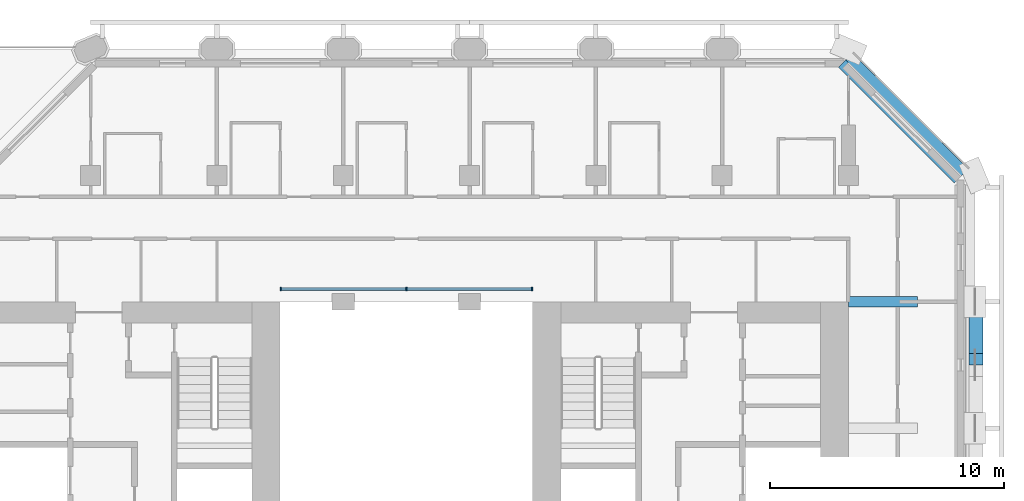
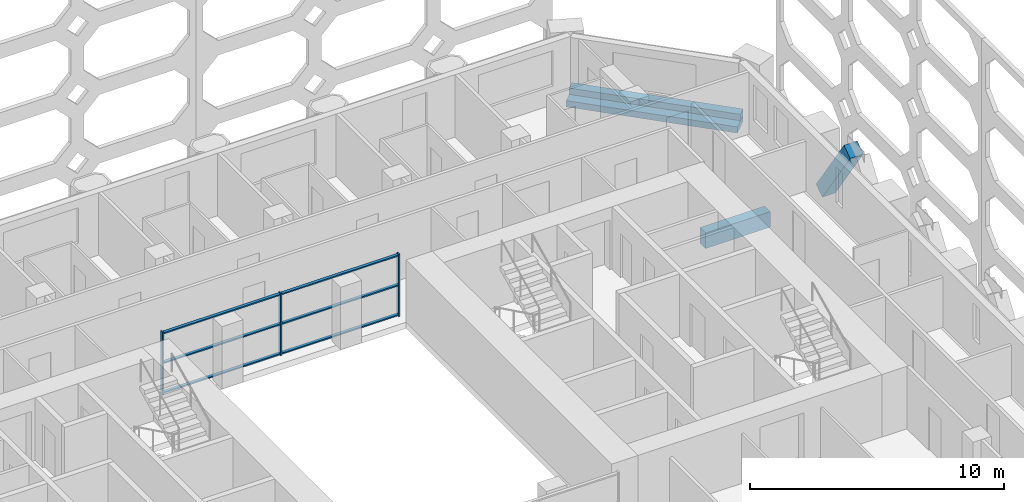
# One storey, part 4 of 16: 10 members, 3 beams, 1 element without a shape of its own.
"""IFC4 building model written with IfcOpenShell, lengths in metres."""

from ifc_helpers import new_model, si_unit, direction, frame, origin, origin_2d, place, context, subcontext, project, spatial, rectangle, extrude, material, material_profile, profile_set, type_object, element, aggregate, save


model = new_model("IFC4")

# Units and contexts
model_context = context("Model", 3, precision=1e-05, world=origin(), true_north=direction((0.0, 1.0)))
body_context = subcontext(model_context, "Body", "Model", "MODEL_VIEW")
ifc_project = project(units=[si_unit("LENGTHUNIT", "METRE"), si_unit("AREAUNIT", "SQUARE_METRE"), si_unit("VOLUMEUNIT", "CUBIC_METRE"), si_unit("PLANEANGLEUNIT", "RADIAN"), si_unit("MASSUNIT", "GRAM", prefix="KILO")], contexts=[model_context])

# Site, building, storey
site_placement = place(None, origin())
site = spatial("IfcSite", under=ifc_project, at=site_placement, CompositionType="ELEMENT")
building_placement = place(site_placement, origin())
building = spatial("IfcBuilding", under=site, at=building_placement, Name="Tabaq Tower and Sports Hall", CompositionType="ELEMENT")
storey_placement = place(building_placement, frame((0.0, 0.0, 152.800048828125)))
storey = spatial("IfcBuildingStorey", under=building, at=storey_placement, Name="L35", CompositionType="ELEMENT", Elevation=152.800048828125)

# Curtain wall, members
ifc_material_1 = material(Name="Aluminium alloy 6063-T6 framed glazing", Category="aluminium")
curtain_wall_type = type_object("IfcCurtainWallType", Name="CW1 curtain wall", PredefinedType="USERDEFINED", material=ifc_material_1)
curtain_wall_placement = place(storey_placement, origin())
curtain_wall = element("IfcCurtainWall", 1, at=curtain_wall_placement, inside=storey, type_object=curtain_wall_type, Name="Atrium glazing L35 N", ObjectType="ATRIUM ENCLOSURE", PredefinedType="USERDEFINED")
ifc_material_2 = material(Name="Aluminium alloy 6063-T6", Category="aluminium")
ifc_material_profile_1 = material_profile(ifc_material_2, rectangle(XDim=0.159912109375, YDim=0.06005859375, at=origin_2d()), Name="MULLION 160x60")
ifc_profile_set_1 = profile_set([ifc_material_profile_1], Name="Aluminium alloy 6063-T6")
member_type_1 = type_object("IfcMemberType", Name="CW1 mullion 160x60", PredefinedType="MULLION", material=ifc_profile_set_1)
member_1_placement = place(storey_placement, frame((18.929931640625, 32.949951171875, 0.0), z_axis=(0.0, 0.0, 1.0), x_axis=(0.0, 1.0, 0.0)))
member_1 = element("IfcMember", 2, at=member_1_placement, type_object=member_type_1, Name="CW1 mullion 1", PredefinedType="MULLION", context=body_context, shape_type="SweptSolid", body=[
    extrude(rectangle(XDim=0.159912109375, YDim=0.06005859375, at=origin_2d()), origin(), (0.0, 0.0, 1.0), 3.0),
])
member_2_placement = place(storey_placement, frame((24.300048828125, 32.949951171875, 0.0), z_axis=(0.0, 0.0, 1.0), x_axis=(0.0, 1.0, 0.0)))
member_2 = element("IfcMember", 3, at=member_2_placement, type_object=member_type_1, Name="CW1 mullion 2", PredefinedType="MULLION", context=body_context, shape_type="SweptSolid", body=[
    extrude(rectangle(XDim=0.159912109375, YDim=0.06005859375, at=origin_2d()), origin(), (0.0, 0.0, 1.0), 3.0),
])
member_3_placement = place(storey_placement, frame((29.669921875, 32.949951171875, 0.0), z_axis=(0.0, 0.0, 1.0), x_axis=(0.0, 1.0, 0.0)))
member_3 = element("IfcMember", 4, at=member_3_placement, type_object=member_type_1, Name="CW1 mullion 3", PredefinedType="MULLION", context=body_context, shape_type="SweptSolid", body=[
    extrude(rectangle(XDim=0.159912109375, YDim=0.06005859375, at=origin_2d()), origin(), (0.0, 0.0, 1.0), 3.0),
])
ifc_material_3 = material(Name="Aluminium alloy 6063-T6", Category="aluminium")
ifc_material_profile_2 = material_profile(ifc_material_3, rectangle(XDim=0.139892578125, YDim=0.06005859375, at=origin_2d()), Name="TRANSOM 140x60")
ifc_profile_set_2 = profile_set([ifc_material_profile_2], Name="Aluminium alloy 6063-T6")
member_type_2 = type_object("IfcMemberType", Name="CW1 transom 140x60", PredefinedType="USERDEFINED", material=ifc_profile_set_2)
member_4_placement = place(storey_placement, frame((18.9599609375, 32.949951171875, 0.070068359375), z_axis=(1.0, 0.0, 0.0), x_axis=(0.0, 1.0, 0.0)))
member_4 = element("IfcMember", 5, at=member_4_placement, type_object=member_type_2, Name="CW1 transom 1.1", ObjectType="TRANSOM", PredefinedType="USERDEFINED", context=body_context, shape_type="SweptSolid", body=[
    extrude(rectangle(XDim=0.139892578125, YDim=0.06005859375, at=origin_2d()), origin(), (0.0, 0.0, 1.0), 5.31005859375),
])
member_5_placement = place(storey_placement, frame((18.9599609375, 32.949951171875, 1.5), z_axis=(1.0, 0.0, 0.0), x_axis=(0.0, 1.0, 0.0)))
member_5 = element("IfcMember", 6, at=member_5_placement, type_object=member_type_2, Name="CW1 transom 1.2", ObjectType="TRANSOM", PredefinedType="USERDEFINED", context=body_context, shape_type="SweptSolid", body=[
    extrude(rectangle(XDim=0.139892578125, YDim=0.06005859375, at=origin_2d()), origin(), (0.0, 0.0, 1.0), 5.31005859375),
])
member_6_placement = place(storey_placement, frame((18.9599609375, 32.949951171875, 2.929931640625), z_axis=(1.0, 0.0, 0.0), x_axis=(0.0, 1.0, 0.0)))
member_6 = element("IfcMember", 7, at=member_6_placement, type_object=member_type_2, Name="CW1 transom 1.3", ObjectType="TRANSOM", PredefinedType="USERDEFINED", context=body_context, shape_type="SweptSolid", body=[
    extrude(rectangle(XDim=0.139892578125, YDim=0.06005859375, at=origin_2d()), origin(), (0.0, 0.0, 1.0), 5.31005859375),
])
member_7_placement = place(storey_placement, frame((24.330078125, 32.949951171875, 0.070068359375), z_axis=(1.0, 0.0, 0.0), x_axis=(0.0, 1.0, 0.0)))
member_7 = element("IfcMember", 8, at=member_7_placement, type_object=member_type_2, Name="CW1 transom 2.1", ObjectType="TRANSOM", PredefinedType="USERDEFINED", context=body_context, shape_type="SweptSolid", body=[
    extrude(rectangle(XDim=0.139892578125, YDim=0.06005859375, at=origin_2d()), origin(), (0.0, 0.0, 1.0), 5.309814453125),
])
member_8_placement = place(storey_placement, frame((24.330078125, 32.949951171875, 1.5), z_axis=(1.0, 0.0, 0.0), x_axis=(0.0, 1.0, 0.0)))
member_8 = element("IfcMember", 9, at=member_8_placement, type_object=member_type_2, Name="CW1 transom 2.2", ObjectType="TRANSOM", PredefinedType="USERDEFINED", context=body_context, shape_type="SweptSolid", body=[
    extrude(rectangle(XDim=0.139892578125, YDim=0.06005859375, at=origin_2d()), origin(), (0.0, 0.0, 1.0), 5.309814453125),
])
member_9_placement = place(storey_placement, frame((24.330078125, 32.949951171875, 2.929931640625), z_axis=(1.0, 0.0, 0.0), x_axis=(0.0, 1.0, 0.0)))
member_9 = element("IfcMember", 10, at=member_9_placement, type_object=member_type_2, Name="CW1 transom 2.3", ObjectType="TRANSOM", PredefinedType="USERDEFINED", context=body_context, shape_type="SweptSolid", body=[
    extrude(rectangle(XDim=0.139892578125, YDim=0.06005859375, at=origin_2d()), origin(), (0.0, 0.0, 1.0), 5.309814453125),
])
aggregate(curtain_wall, [member_1, member_2, member_3, member_4, member_5, member_6, member_7, member_8, member_9])

# Beams
ifc_material_4 = material(Name="Concrete C40/50", Category="concrete")
ifc_material_profile_3 = material_profile(ifc_material_4, rectangle(XDim=0.449951171875, YDim=0.75, at=origin_2d()), Name="CB 450x750")
ifc_profile_set_3 = profile_set([ifc_material_profile_3], Name="Concrete C40/50")
beam_type_1 = type_object("IfcBeamType", Name="PT CANTILEVER BEAM CB 450x750 C40/50", PredefinedType="BEAM", material=ifc_profile_set_3)
beam_1_placement = place(storey_placement, frame((46.14990234375, 32.39990234375, -0.675048828125), z_axis=(-1.0, 0.0, 0.0), x_axis=(0.0, -1.0, 0.0)))
element("IfcBeam", 11, at=beam_1_placement, inside=storey, type_object=beam_type_1, Name="Cantilever Beam L35 E6 span 1", PredefinedType="BEAM", context=body_context, shape_type="SweptSolid", body=[
    extrude(rectangle(XDim=0.449951171875, YDim=0.75, at=origin_2d()), origin(), (0.0, 0.0, 1.0), 2.949951171875),
])
ifc_material_5 = material(Name="Concrete C40/50", Category="concrete")
ifc_material_profile_4 = material_profile(ifc_material_5, rectangle(XDim=0.85009765625, YDim=0.300048828125, at=origin_2d()), Name="EB 850x300")
ifc_profile_set_4 = profile_set([ifc_material_profile_4], Name="Concrete C40/50")
beam_type_2 = type_object("IfcBeamType", Name="PT EDGE BEAM EB 850x300 C40/50", PredefinedType="SPANDREL", material=ifc_profile_set_4)
beam_2_placement = place(storey_placement, frame((48.01513671875, 37.78369140625, -0.150146484375), z_axis=(-0.707106781187, 0.707106781187, 0.0), x_axis=(-0.707106781187, -0.707106781187, 0.0)))
element("IfcBeam", 12, at=beam_2_placement, inside=storey, type_object=beam_type_2, Name="Edge Beam L35 5", PredefinedType="SPANDREL", context=body_context, shape_type="SweptSolid", body=[
    extrude(rectangle(XDim=0.85009765625, YDim=0.300048828125, at=origin_2d()), origin(), (0.0, 0.0, 1.0), 6.98486328125),
])
ifc_material_6 = material(Name="Concrete C40/50", Category="concrete")
ifc_material_profile_5 = material_profile(ifc_material_6, rectangle(XDim=0.39990234375, YDim=0.300048828125, at=origin_2d()), Name="EU 400x300")
ifc_profile_set_5 = profile_set([ifc_material_profile_5], Name="Concrete C40/50")
beam_type_3 = type_object("IfcBeamType", Name="PT EDGE UPSTAND EU 400x300 C40/50", PredefinedType="BEAM", material=ifc_profile_set_5)
beam_3_placement = place(storey_placement, frame((48.17431640625, 37.94287109375, 0.14990234375), z_axis=(-0.707106781187, 0.707106781187, 0.0), x_axis=(-0.707106781187, -0.707106781187, 0.0)))
element("IfcBeam", 13, at=beam_3_placement, inside=storey, type_object=beam_type_3, Name="Edge Upstand L35 5", PredefinedType="BEAM", context=body_context, shape_type="SweptSolid", body=[
    extrude(rectangle(XDim=0.39990234375, YDim=0.300048828125, at=origin_2d()), origin(), (0.0, 0.0, 1.0), 6.98486328125),
])

# Member
ifc_material_7 = material(Name="Concrete C50/60", Category="concrete")
ifc_material_profile_6 = material_profile(ifc_material_7, rectangle(XDim=0.60009765625, YDim=0.60009765625, at=origin_2d()), Name="TRANSFER BAND BRACE 600x600")
ifc_profile_set_6 = profile_set([ifc_material_profile_6], Name="Concrete C50/60")
member_type_3 = type_object("IfcMemberType", Name="RC TRANSFER BAND BRACE 600x600 C50/60", PredefinedType="BRACE", material=ifc_profile_set_6)
member_10_placement = place(storey_placement, frame((48.64990234375, 32.14990234375, -0.050048828125), z_axis=(0.0, -0.56652615464, 0.824043758613), x_axis=(1.0, 0.0, 0.0)))
element("IfcMember", 14, at=member_10_placement, inside=storey, type_object=member_type_3, Name="Transfer Band Brace L35 East 16", PredefinedType="BRACE", context=body_context, shape_type="SweptSolid", body=[
    extrude(rectangle(XDim=0.60009765625, YDim=0.60009765625, at=origin_2d()), origin(), (0.0, 0.0, 1.0), 3.88330078125),
])

save(model, "model.ifc")
